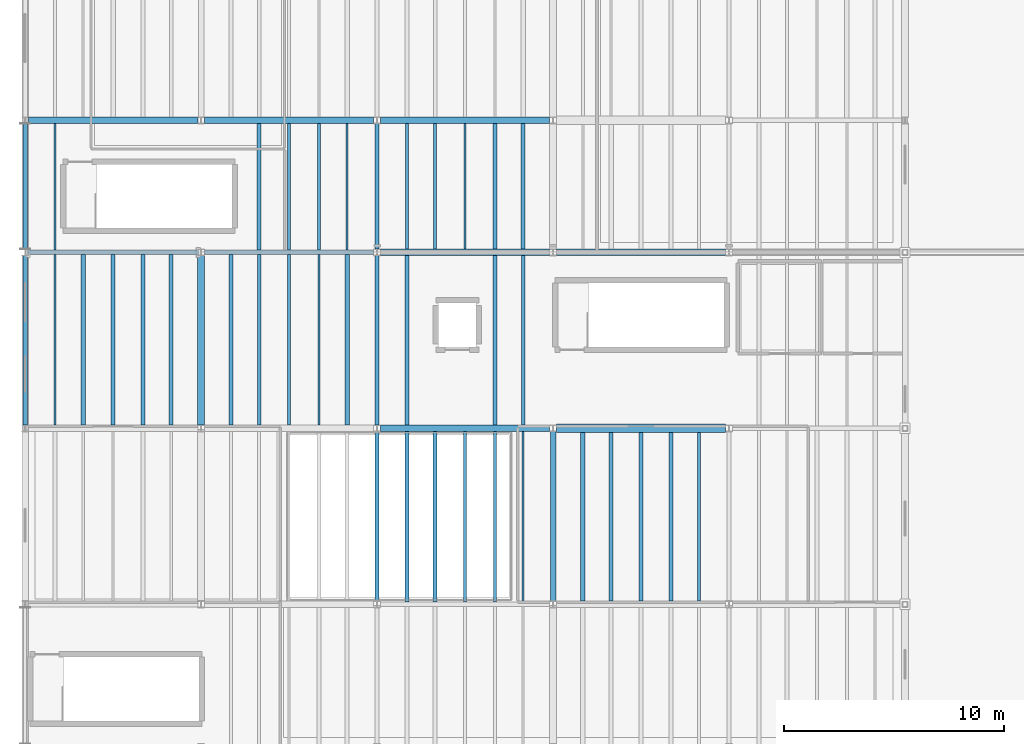
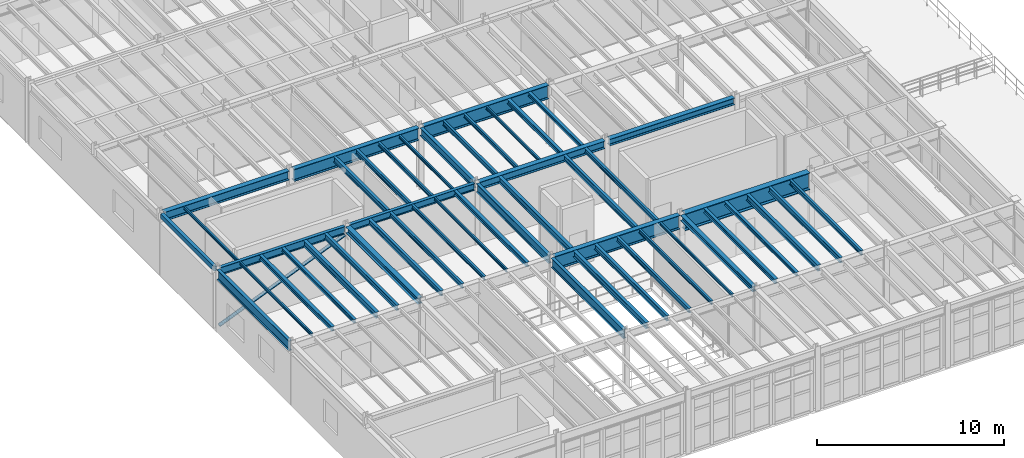
# One storey, part 12 of 78: 49 beams, 1 member.
"""IFC4 building model written with IfcOpenShell, lengths in metres."""

from ifc_helpers import new_model, si_unit, direction, frame, origin, origin_2d, place, context, subcontext, project, spatial, hollow_rectangle, hollow_circle, i_section, extrude, material, material_profile, profile_set, type_object, element, save


model = new_model("IFC4")

# Units and contexts
model_context = context("Model", 3, precision=1e-05, world=origin(), true_north=direction((0.0, 1.0)))
body_context = subcontext(model_context, "Body", "Model", "MODEL_VIEW")
ifc_project = project(units=[si_unit("LENGTHUNIT", "METRE"), si_unit("AREAUNIT", "SQUARE_METRE"), si_unit("VOLUMEUNIT", "CUBIC_METRE"), si_unit("PLANEANGLEUNIT", "RADIAN"), si_unit("MASSUNIT", "GRAM", prefix="KILO"), si_unit("THERMODYNAMICTEMPERATUREUNIT", "KELVIN"), si_unit("POWERUNIT", "WATT")], contexts=[model_context])

# Site, building, storey
site_placement = place(None, origin())
site = spatial("IfcSite", under=ifc_project, at=site_placement, CompositionType="ELEMENT")
building_placement = place(site_placement, origin())
building = spatial("IfcBuilding", under=site, at=building_placement, Name="Zhenchuan Central Fire Station", CompositionType="ELEMENT")
storey_placement = place(building_placement, frame((0.0, 0.0, 5.85009765625)))
storey = spatial("IfcBuildingStorey", under=building, at=storey_placement, Name="L02", CompositionType="ELEMENT", Elevation=5.85009765625)

# Beams
ifc_material = material(Name="Steel Q355B", Category="steel")
ifc_material_profile_1 = material_profile(ifc_material, i_section(OverallWidth=0.25, OverallDepth=0.340087890625, WebThickness=0.009033203125, FlangeThickness=0.013916015625, FilletRadius=0.01806640625, at=origin_2d()), Name="HM 340x250")
ifc_profile_set_1 = profile_set([ifc_material_profile_1], Name="Steel Q355B")
beam_type_1 = type_object("IfcBeamType", Name="BM-HM340", PredefinedType="BEAM", material=ifc_profile_set_1)
beam_1_placement = place(storey_placement, frame((24.0, 6.64990234375, 3.829833984375), z_axis=(0.0, 1.0, 0.0), x_axis=(-1.0, 0.0, 0.0)))
element("IfcBeam", 1, at=beam_1_placement, inside=storey, type_object=beam_type_1, Name="L03 Girder NS 0295", PredefinedType="BEAM", context=body_context, shape_type="SweptSolid", body=[
    extrude(i_section(OverallWidth=0.25, OverallDepth=0.340087890625, WebThickness=0.009033203125, FlangeThickness=0.013916015625, FilletRadius=0.01806640625, at=origin_2d()), origin(), (0.0, 0.0, 1.0), 7.7001953125),
])
ifc_material_profile_2 = material_profile(ifc_material, i_section(OverallWidth=0.300048828125, OverallDepth=0.389892578125, WebThickness=0.010009765625, FlangeThickness=0.01611328125, FilletRadius=0.02001953125, at=origin_2d()), Name="HM 390x300")
ifc_profile_set_2 = profile_set([ifc_material_profile_2], Name="Steel Q355B")
beam_type_2 = type_object("IfcBeamType", Name="BM-HM390-INT", PredefinedType="BEAM", material=ifc_profile_set_2)
beam_2_placement = place(storey_placement, frame((8.0, 14.64990234375, 3.804931640625), z_axis=(0.0, 1.0, 0.0), x_axis=(-1.0, 0.0, 0.0)))
element("IfcBeam", 2, at=beam_2_placement, inside=storey, type_object=beam_type_2, Name="L03 Girder NS 0283", PredefinedType="BEAM", context=body_context, shape_type="SweptSolid", body=[
    extrude(i_section(OverallWidth=0.300048828125, OverallDepth=0.389892578125, WebThickness=0.010009765625, FlangeThickness=0.01611328125, FilletRadius=0.02001953125, at=origin_2d()), origin(), (0.0, 0.0, 1.0), 7.7001953125),
])
ifc_material_profile_3 = material_profile(ifc_material, i_section(OverallWidth=0.300048828125, OverallDepth=0.43994140625, WebThickness=0.010986328125, FlangeThickness=0.01806640625, FilletRadius=0.02197265625, at=origin_2d()), Name="HM 440x300")
ifc_profile_set_3 = profile_set([ifc_material_profile_3], Name="Steel Q355B")
beam_type_3 = type_object("IfcBeamType", Name="BM-HM440-INT", PredefinedType="BEAM", material=ifc_profile_set_3)
beam_3_placement = place(storey_placement, frame((24.14990234375, 22.5, 3.77978515625), z_axis=(1.0, 0.0, 0.0), x_axis=(0.0, 1.0, 0.0)))
element("IfcBeam", 3, at=beam_3_placement, inside=storey, type_object=beam_type_3, Name="L03 Girder EW 0217", PredefinedType="BEAM", context=body_context, shape_type="SweptSolid", body=[
    extrude(i_section(OverallWidth=0.300048828125, OverallDepth=0.43994140625, WebThickness=0.010986328125, FlangeThickness=0.01806640625, FilletRadius=0.02197265625, at=origin_2d()), origin(), (0.0, 0.0, 1.0), 7.7001953125),
])
ifc_material_profile_4 = material_profile(ifc_material, i_section(OverallWidth=0.300048828125, OverallDepth=0.5, WebThickness=0.010986328125, FlangeThickness=0.01806640625, FilletRadius=0.02197265625, at=origin_2d()), Name="HM 500x300")
ifc_profile_set_4 = profile_set([ifc_material_profile_4], Name="Steel Q355B")
beam_type_4 = type_object("IfcBeamType", Name="BM-HM500-INT", PredefinedType="BEAM", material=ifc_profile_set_4)
beam_4_placement = place(storey_placement, frame((16.14990234375, 22.5, 3.75), z_axis=(1.0, 0.0, 0.0), x_axis=(0.0, 1.0, 0.0)))
element("IfcBeam", 4, at=beam_4_placement, inside=storey, type_object=beam_type_4, Name="L03 Girder EW 0216", PredefinedType="BEAM", context=body_context, shape_type="SweptSolid", body=[
    extrude(i_section(OverallWidth=0.300048828125, OverallDepth=0.5, WebThickness=0.010986328125, FlangeThickness=0.01806640625, FilletRadius=0.02197265625, at=origin_2d()), origin(), (0.0, 0.0, 1.0), 7.7001953125),
])
ifc_material_profile_5 = material_profile(ifc_material, i_section(OverallWidth=0.300048828125, OverallDepth=0.587890625, WebThickness=0.011962890625, FlangeThickness=0.02001953125, FilletRadius=0.02392578125, at=origin_2d()), Name="HM 588x300")
ifc_profile_set_5 = profile_set([ifc_material_profile_5], Name="Steel Q355B")
beam_type_5 = type_object("IfcBeamType", Name="BM-HM588", PredefinedType="BEAM", material=ifc_profile_set_5)
beam_5_placement = place(storey_placement, frame((0.14990234375, 28.5, 3.705810546875), z_axis=(1.0, 0.0, 0.0), x_axis=(0.0, 1.0, 0.0)))
element("IfcBeam", 5, at=beam_5_placement, inside=storey, type_object=beam_type_5, Name="L03 Girder EW 0221", PredefinedType="BEAM", context=body_context, shape_type="SweptSolid", body=[
    extrude(i_section(OverallWidth=0.300048828125, OverallDepth=0.587890625, WebThickness=0.011962890625, FlangeThickness=0.02001953125, FilletRadius=0.02392578125, at=origin_2d()), origin(), (0.0, 0.0, 1.0), 7.7001953125),
])
ifc_material_profile_6 = material_profile(ifc_material, i_section(OverallWidth=0.199951171875, OverallDepth=0.449951171875, WebThickness=0.009033203125, FlangeThickness=0.013916015625, FilletRadius=0.01806640625, at=origin_2d()), Name="HN 450x200")
ifc_profile_set_6 = profile_set([ifc_material_profile_6], Name="Steel Q355B")
beam_type_6 = type_object("IfcBeamType", Name="BM-HN450", PredefinedType="BEAM", material=ifc_profile_set_6)
beam_6_placement = place(storey_placement, frame((8.14990234375, 22.5, 3.77490234375), z_axis=(1.0, 0.0, 0.0), x_axis=(0.0, 1.0, 0.0)))
element("IfcBeam", 6, at=beam_6_placement, inside=storey, type_object=beam_type_6, Name="L03 Girder EW 0215", PredefinedType="BEAM", context=body_context, shape_type="SweptSolid", body=[
    extrude(i_section(OverallWidth=0.199951171875, OverallDepth=0.449951171875, WebThickness=0.009033203125, FlangeThickness=0.013916015625, FilletRadius=0.01806640625, at=origin_2d()), origin(), (0.0, 0.0, 1.0), 7.7001953125),
])
ifc_material_profile_7 = material_profile(ifc_material, i_section(OverallWidth=0.199951171875, OverallDepth=0.5, WebThickness=0.010009765625, FlangeThickness=0.01611328125, FilletRadius=0.02001953125, at=origin_2d()), Name="HN 500x200")
ifc_profile_set_7 = profile_set([ifc_material_profile_7], Name="Steel Q355B")
beam_type_7 = type_object("IfcBeamType", Name="BM-HN500-INT", PredefinedType="BEAM", material=ifc_profile_set_7)
beam_7_placement = place(storey_placement, frame((0.14990234375, 22.5, 3.75), z_axis=(1.0, 0.0, 0.0), x_axis=(0.0, 1.0, 0.0)))
element("IfcBeam", 7, at=beam_7_placement, inside=storey, type_object=beam_type_7, Name="L03 Girder EW 0214", PredefinedType="BEAM", context=body_context, shape_type="SweptSolid", body=[
    extrude(i_section(OverallWidth=0.199951171875, OverallDepth=0.5, WebThickness=0.010009765625, FlangeThickness=0.01611328125, FilletRadius=0.02001953125, at=origin_2d()), origin(), (0.0, 0.0, 1.0), 7.7001953125),
])
beam_8_placement = place(storey_placement, frame((16.0, 22.64990234375, 3.75), z_axis=(0.0, 1.0, 0.0), x_axis=(-1.0, 0.0, 0.0)))
element("IfcBeam", 8, at=beam_8_placement, inside=storey, type_object=beam_type_7, Name="L03 Girder NS 0290", PredefinedType="BEAM", context=body_context, shape_type="SweptSolid", body=[
    extrude(i_section(OverallWidth=0.199951171875, OverallDepth=0.5, WebThickness=0.010009765625, FlangeThickness=0.01611328125, FilletRadius=0.02001953125, at=origin_2d()), origin(), (0.0, 0.0, 1.0), 5.7001953125),
])
ifc_material_profile_8 = material_profile(ifc_material, i_section(OverallWidth=0.199951171875, OverallDepth=0.550048828125, WebThickness=0.010009765625, FlangeThickness=0.01611328125, FilletRadius=0.02001953125, at=origin_2d()), Name="HN 550x200")
ifc_profile_set_8 = profile_set([ifc_material_profile_8], Name="Steel Q355B")
beam_type_8 = type_object("IfcBeamType", Name="BM-HN550-INT", PredefinedType="BEAM", material=ifc_profile_set_8)
beam_9_placement = place(storey_placement, frame((16.0, 14.64990234375, 3.724853515625), z_axis=(0.0, 1.0, 0.0), x_axis=(-1.0, 0.0, 0.0)))
element("IfcBeam", 9, at=beam_9_placement, inside=storey, type_object=beam_type_8, Name="L03 Girder NS 0289", PredefinedType="BEAM", context=body_context, shape_type="SweptSolid", body=[
    extrude(i_section(OverallWidth=0.199951171875, OverallDepth=0.550048828125, WebThickness=0.010009765625, FlangeThickness=0.01611328125, FilletRadius=0.02001953125, at=origin_2d()), origin(), (0.0, 0.0, 1.0), 7.7001953125),
])
ifc_material_profile_9 = material_profile(ifc_material, i_section(OverallWidth=0.199951171875, OverallDepth=0.60009765625, WebThickness=0.010986328125, FlangeThickness=0.01708984375, FilletRadius=0.02197265625, at=origin_2d()), Name="HN 600x200")
ifc_profile_set_9 = profile_set([ifc_material_profile_9], Name="Steel Q355B")
beam_type_9 = type_object("IfcBeamType", Name="BM-HN600-INT", PredefinedType="BEAM", material=ifc_profile_set_9)
beam_10_placement = place(storey_placement, frame((16.0, 6.64990234375, 3.699951171875), z_axis=(0.0, 1.0, 0.0), x_axis=(-1.0, 0.0, 0.0)))
element("IfcBeam", 10, at=beam_10_placement, inside=storey, type_object=beam_type_9, Name="L03 Girder NS 0288", PredefinedType="BEAM", context=body_context, shape_type="SweptSolid", body=[
    extrude(i_section(OverallWidth=0.199951171875, OverallDepth=0.60009765625, WebThickness=0.010986328125, FlangeThickness=0.01708984375, FilletRadius=0.02197265625, at=origin_2d()), origin(), (0.0, 0.0, 1.0), 7.7001953125),
])
ifc_material_profile_10 = material_profile(ifc_material, i_section(OverallWidth=0.199951171875, OverallDepth=0.64990234375, WebThickness=0.011962890625, FlangeThickness=0.02001953125, FilletRadius=0.02197265625, at=origin_2d()), Name="HN 650x200")
ifc_profile_set_10 = profile_set([ifc_material_profile_10], Name="Steel Q355B")
beam_type_10 = type_object("IfcBeamType", Name="BM-HN650-EXT", PredefinedType="BEAM", material=ifc_profile_set_10)
beam_11_placement = place(storey_placement, frame((0.0, 14.64990234375, 3.6748046875), z_axis=(0.0, 1.0, 0.0), x_axis=(-1.0, 0.0, 0.0)))
element("IfcBeam", 11, at=beam_11_placement, inside=storey, type_object=beam_type_10, Name="L03 Girder NS 0276", PredefinedType="BEAM", context=body_context, shape_type="SweptSolid", body=[
    extrude(i_section(OverallWidth=0.199951171875, OverallDepth=0.64990234375, WebThickness=0.011962890625, FlangeThickness=0.02001953125, FilletRadius=0.02197265625, at=origin_2d()), origin(), (0.0, 0.0, 1.0), 7.7001953125),
])
ifc_material_profile_11 = material_profile(ifc_material, i_section(OverallWidth=0.300048828125, OverallDepth=0.800048828125, WebThickness=0.013916015625, FlangeThickness=0.02587890625, FilletRadius=0.02587890625, at=origin_2d()), Name="HN 800x300")
ifc_profile_set_11 = profile_set([ifc_material_profile_11], Name="Steel Q355B")
beam_type_11 = type_object("IfcBeamType", Name="BM-HN800", PredefinedType="BEAM", material=ifc_profile_set_11)
beam_12_placement = place(storey_placement, frame((8.14990234375, 28.5, 3.599853515625), z_axis=(1.0, 0.0, 0.0), x_axis=(0.0, 1.0, 0.0)))
element("IfcBeam", 12, at=beam_12_placement, inside=storey, type_object=beam_type_11, Name="L03 Girder EW 0222", PredefinedType="BEAM", context=body_context, shape_type="SweptSolid", body=[
    extrude(i_section(OverallWidth=0.300048828125, OverallDepth=0.800048828125, WebThickness=0.013916015625, FlangeThickness=0.02587890625, FilletRadius=0.02587890625, at=origin_2d()), origin(), (0.0, 0.0, 1.0), 7.7001953125),
])
ifc_material_profile_12 = material_profile(ifc_material, i_section(OverallWidth=0.300048828125, OverallDepth=0.89990234375, WebThickness=0.01611328125, FlangeThickness=0.028076171875, FilletRadius=0.02587890625, at=origin_2d()), Name="HN 900x300")
ifc_profile_set_12 = profile_set([ifc_material_profile_12], Name="Steel Q355B")
beam_type_12 = type_object("IfcBeamType", Name="BM-HN900", PredefinedType="BEAM", material=ifc_profile_set_12)
for number, where, z_axis, x_axis, name in (
    (13, (16.14990234375, 14.5, 3.5498046875), (1.0, 0.0, 0.0), (0.0, 1.0, 0.0), "L03 Girder EW 0209"),
    (14, (16.14990234375, 28.5, 3.5498046875), (1.0, 0.0, 0.0), (0.0, 1.0, 0.0), "L03 Girder EW 0223"),
):
    element("IfcBeam", number, at=place(storey_placement, frame(where, z_axis=z_axis, x_axis=x_axis)), inside=storey, type_object=beam_type_12, Name=name, PredefinedType="BEAM", context=body_context, shape_type="SweptSolid", body=[
        extrude(i_section(OverallWidth=0.300048828125, OverallDepth=0.89990234375, WebThickness=0.01611328125, FlangeThickness=0.028076171875, FilletRadius=0.02587890625, at=origin_2d()), origin(), (0.0, 0.0, 1.0), 7.7001953125),
    ])
ifc_material_profile_13 = material_profile(ifc_material, i_section(OverallWidth=0.3798828125, OverallDepth=1.10009765625, WebThickness=0.02001953125, FlangeThickness=0.035888671875, FilletRadius=0.02392578125, at=origin_2d()), Name="PG 1100x380")
ifc_profile_set_13 = profile_set([ifc_material_profile_13], Name="Steel Q355B")
beam_type_13 = type_object("IfcBeamType", Name="BM-PG1100", PredefinedType="BEAM", material=ifc_profile_set_13)
beam_13_placement = place(storey_placement, frame((24.14990234375, 14.5, 3.449951171875), z_axis=(1.0, 0.0, 0.0), x_axis=(0.0, 1.0, 0.0)))
element("IfcBeam", 15, at=beam_13_placement, inside=storey, type_object=beam_type_13, Name="L03 Girder EW 0210", PredefinedType="BEAM", context=body_context, shape_type="SweptSolid", body=[
    extrude(i_section(OverallWidth=0.3798828125, OverallDepth=1.10009765625, WebThickness=0.02001953125, FlangeThickness=0.035888671875, FilletRadius=0.02392578125, at=origin_2d()), origin(), (0.0, 0.0, 1.0), 7.7001953125),
])
ifc_material_profile_14 = material_profile(ifc_material, i_section(OverallWidth=0.175048828125, OverallDepth=0.243896484375, WebThickness=0.007080078125, FlangeThickness=0.010986328125, FilletRadius=0.012939453125, at=origin_2d()), Name="HM 244x175")
ifc_profile_set_14 = profile_set([ifc_material_profile_14], Name="Steel Q355B")
beam_type_14 = type_object("IfcBeamType", Name="JS-HM244", PredefinedType="JOIST", material=ifc_profile_set_14)
beam_14_placement = place(storey_placement, frame((26.639892578125, 6.64697265625, 3.8779296875), z_axis=(0.0, 1.0, 0.0), x_axis=(-1.0, 0.0, 0.0)))
element("IfcBeam", 16, at=beam_14_placement, inside=storey, type_object=beam_type_14, Name="L03 Secondary Joist 0343", PredefinedType="JOIST", context=body_context, shape_type="SweptSolid", body=[
    extrude(i_section(OverallWidth=0.175048828125, OverallDepth=0.243896484375, WebThickness=0.007080078125, FlangeThickness=0.010986328125, FilletRadius=0.012939453125, at=origin_2d()), origin(), (0.0, 0.0, 1.0), 7.666015625),
])
beam_15_placement = place(storey_placement, frame((4.0, 14.64697265625, 3.8779296875), z_axis=(0.0, 1.0, 0.0), x_axis=(-1.0, 0.0, 0.0)))
element("IfcBeam", 17, at=beam_15_placement, inside=storey, type_object=beam_type_14, Name="L03 Secondary Joist 0364", PredefinedType="JOIST", context=body_context, shape_type="SweptSolid", body=[
    extrude(i_section(OverallWidth=0.175048828125, OverallDepth=0.243896484375, WebThickness=0.007080078125, FlangeThickness=0.010986328125, FilletRadius=0.012939453125, at=origin_2d()), origin(), (0.0, 0.0, 1.0), 7.756103515625),
])
beam_16_placement = place(storey_placement, frame((22.639892578125, 22.64697265625, 3.8779296875), z_axis=(0.0, 1.0, 0.0), x_axis=(-1.0, 0.0, 0.0)))
element("IfcBeam", 18, at=beam_16_placement, inside=storey, type_object=beam_type_14, Name="L03 Secondary Joist 0399", PredefinedType="JOIST", context=body_context, shape_type="SweptSolid", body=[
    extrude(i_section(OverallWidth=0.175048828125, OverallDepth=0.243896484375, WebThickness=0.007080078125, FlangeThickness=0.010986328125, FilletRadius=0.012939453125, at=origin_2d()), origin(), (0.0, 0.0, 1.0), 5.7060546875),
])
ifc_material_profile_15 = material_profile(ifc_material, i_section(OverallWidth=0.199951171875, OverallDepth=0.2939453125, WebThickness=0.008056640625, FlangeThickness=0.011962890625, FilletRadius=0.01611328125, at=origin_2d()), Name="HM 294x200")
ifc_profile_set_15 = profile_set([ifc_material_profile_15], Name="Steel Q355B")
beam_type_15 = type_object("IfcBeamType", Name="JS-HM294", PredefinedType="JOIST", material=ifc_profile_set_15)
beam_17_placement = place(storey_placement, frame((25.360107421875, 6.64697265625, 3.852783203125), z_axis=(0.0, 1.0, 0.0), x_axis=(-1.0, 0.0, 0.0)))
element("IfcBeam", 19, at=beam_17_placement, inside=storey, type_object=beam_type_15, Name="L03 Secondary Joist 0342", PredefinedType="JOIST", context=body_context, shape_type="SweptSolid", body=[
    extrude(i_section(OverallWidth=0.199951171875, OverallDepth=0.2939453125, WebThickness=0.008056640625, FlangeThickness=0.011962890625, FilletRadius=0.01611328125, at=origin_2d()), origin(), (0.0, 0.0, 1.0), 7.666015625),
])
for number, where, z_axis, x_axis, name in (
    (20, (2.639892578125, 14.64697265625, 3.852783203125), (0.0, 1.0, 0.0), (-1.0, 0.0, 0.0), "L03 Secondary Joist 0363"),
    (21, (14.639892578125, 14.64697265625, 3.852783203125), (0.0, 1.0, 0.0), (-1.0, 0.0, 0.0), "L03 Secondary Joist 0371"),
):
    element("IfcBeam", number, at=place(storey_placement, frame(where, z_axis=z_axis, x_axis=x_axis)), inside=storey, type_object=beam_type_15, Name=name, PredefinedType="JOIST", context=body_context, shape_type="SweptSolid", body=[
        extrude(i_section(OverallWidth=0.199951171875, OverallDepth=0.2939453125, WebThickness=0.008056640625, FlangeThickness=0.011962890625, FilletRadius=0.01611328125, at=origin_2d()), origin(), (0.0, 0.0, 1.0), 7.756103515625),
    ])
beam_18_placement = place(storey_placement, frame((21.360107421875, 22.64697265625, 3.852783203125), z_axis=(0.0, 1.0, 0.0), x_axis=(-1.0, 0.0, 0.0)))
element("IfcBeam", 22, at=beam_18_placement, inside=storey, type_object=beam_type_15, Name="L03 Secondary Joist 0398", PredefinedType="JOIST", context=body_context, shape_type="SweptSolid", body=[
    extrude(i_section(OverallWidth=0.199951171875, OverallDepth=0.2939453125, WebThickness=0.008056640625, FlangeThickness=0.011962890625, FilletRadius=0.01611328125, at=origin_2d()), origin(), (0.0, 0.0, 1.0), 5.7060546875),
])
ifc_material_profile_16 = material_profile(ifc_material, i_section(OverallWidth=0.10009765625, OverallDepth=0.199951171875, WebThickness=0.005615234375, FlangeThickness=0.008056640625, FilletRadius=0.010986328125, at=origin_2d()), Name="HN 200x100")
ifc_profile_set_16 = profile_set([ifc_material_profile_16], Name="Steel Q355B")
beam_type_16 = type_object("IfcBeamType", Name="JS-HN200", PredefinedType="JOIST", material=ifc_profile_set_16)
for number, where, z_axis, x_axis, name in (
    (23, (22.639892578125, 6.596923828125, 3.89990234375), (0.0, 1.0, 0.0), (-1.0, 0.0, 0.0), "L03 Secondary Joist 0341"),
    (24, (1.360107421875, 14.64697265625, 3.89990234375), (0.0, 1.0, 0.0), (-1.0, 0.0, 0.0), "L03 Secondary Joist 0362"),
    (25, (13.360107421875, 14.64697265625, 3.89990234375), (0.0, 1.0, 0.0), (-1.0, 0.0, 0.0), "L03 Secondary Joist 0370"),
):
    element("IfcBeam", number, at=place(storey_placement, frame(where, z_axis=z_axis, x_axis=x_axis)), inside=storey, type_object=beam_type_16, Name=name, PredefinedType="JOIST", context=body_context, shape_type="SweptSolid", body=[
        extrude(i_section(OverallWidth=0.10009765625, OverallDepth=0.199951171875, WebThickness=0.005615234375, FlangeThickness=0.008056640625, FilletRadius=0.010986328125, at=origin_2d()), origin(), (0.0, 0.0, 1.0), 7.756103515625),
    ])
for number, where, z_axis, x_axis, name in (
    (26, (1.360107421875, 22.596923828125, 3.89990234375), (0.0, 1.0, 0.0), (-1.0, 0.0, 0.0), "L03 Secondary Joist 0390"),
    (27, (14.639892578125, 22.596923828125, 3.89990234375), (0.0, 1.0, 0.0), (-1.0, 0.0, 0.0), "L03 Secondary Joist 0394"),
):
    element("IfcBeam", number, at=place(storey_placement, frame(where, z_axis=z_axis, x_axis=x_axis)), inside=storey, type_object=beam_type_16, Name=name, PredefinedType="JOIST", context=body_context, shape_type="SweptSolid", body=[
        extrude(i_section(OverallWidth=0.10009765625, OverallDepth=0.199951171875, WebThickness=0.005615234375, FlangeThickness=0.008056640625, FilletRadius=0.010986328125, at=origin_2d()), origin(), (0.0, 0.0, 1.0), 5.756103515625),
    ])
beam_19_placement = place(storey_placement, frame((20.0, 22.64697265625, 3.89990234375), z_axis=(0.0, 1.0, 0.0), x_axis=(-1.0, 0.0, 0.0)))
element("IfcBeam", 28, at=beam_19_placement, inside=storey, type_object=beam_type_16, Name="L03 Secondary Joist 0397", PredefinedType="JOIST", context=body_context, shape_type="SweptSolid", body=[
    extrude(i_section(OverallWidth=0.10009765625, OverallDepth=0.199951171875, WebThickness=0.005615234375, FlangeThickness=0.008056640625, FilletRadius=0.010986328125, at=origin_2d()), origin(), (0.0, 0.0, 1.0), 5.7060546875),
])
ifc_material_profile_17 = material_profile(ifc_material, i_section(OverallWidth=0.125, OverallDepth=0.25, WebThickness=0.006103515625, FlangeThickness=0.009033203125, FilletRadius=0.011962890625, at=origin_2d()), Name="HN 250x125")
ifc_profile_set_17 = profile_set([ifc_material_profile_17], Name="Steel Q355B")
beam_type_17 = type_object("IfcBeamType", Name="JS-HN250", PredefinedType="JOIST", material=ifc_profile_set_17)
for number, where, z_axis, x_axis, name in (
    (29, (21.360107421875, 6.596923828125, 3.875), (0.0, 1.0, 0.0), (-1.0, 0.0, 0.0), "L03 Secondary Joist 0340"),
    (30, (12.0, 14.64697265625, 3.875), (0.0, 1.0, 0.0), (-1.0, 0.0, 0.0), "L03 Secondary Joist 0369"),
):
    element("IfcBeam", number, at=place(storey_placement, frame(where, z_axis=z_axis, x_axis=x_axis)), inside=storey, type_object=beam_type_17, Name=name, PredefinedType="JOIST", context=body_context, shape_type="SweptSolid", body=[
        extrude(i_section(OverallWidth=0.125, OverallDepth=0.25, WebThickness=0.006103515625, FlangeThickness=0.009033203125, FilletRadius=0.011962890625, at=origin_2d()), origin(), (0.0, 0.0, 1.0), 7.756103515625),
    ])
beam_20_placement = place(storey_placement, frame((13.360107421875, 22.596923828125, 3.875), z_axis=(0.0, 1.0, 0.0), x_axis=(-1.0, 0.0, 0.0)))
element("IfcBeam", 31, at=beam_20_placement, inside=storey, type_object=beam_type_17, Name="L03 Secondary Joist 0393", PredefinedType="JOIST", context=body_context, shape_type="SweptSolid", body=[
    extrude(i_section(OverallWidth=0.125, OverallDepth=0.25, WebThickness=0.006103515625, FlangeThickness=0.009033203125, FilletRadius=0.011962890625, at=origin_2d()), origin(), (0.0, 0.0, 1.0), 5.756103515625),
])
beam_21_placement = place(storey_placement, frame((18.639892578125, 22.64697265625, 3.875), z_axis=(0.0, 1.0, 0.0), x_axis=(-1.0, 0.0, 0.0)))
element("IfcBeam", 32, at=beam_21_placement, inside=storey, type_object=beam_type_17, Name="L03 Secondary Joist 0396", PredefinedType="JOIST", context=body_context, shape_type="SweptSolid", body=[
    extrude(i_section(OverallWidth=0.125, OverallDepth=0.25, WebThickness=0.006103515625, FlangeThickness=0.009033203125, FilletRadius=0.011962890625, at=origin_2d()), origin(), (0.0, 0.0, 1.0), 5.7060546875),
])
ifc_material_profile_18 = material_profile(ifc_material, i_section(OverallWidth=0.14990234375, OverallDepth=0.300048828125, WebThickness=0.006591796875, FlangeThickness=0.009033203125, FilletRadius=0.012939453125, at=origin_2d()), Name="HN 300x150")
ifc_profile_set_18 = profile_set([ifc_material_profile_18], Name="Steel Q355B")
beam_type_18 = type_object("IfcBeamType", Name="JS-HN300", PredefinedType="JOIST", material=ifc_profile_set_18)
beam_22_placement = place(storey_placement, frame((20.0, 6.596923828125, 3.849853515625), z_axis=(0.0, 1.0, 0.0), x_axis=(-1.0, 0.0, 0.0)))
element("IfcBeam", 33, at=beam_22_placement, inside=storey, type_object=beam_type_18, Name="L03 Secondary Joist 0339", PredefinedType="JOIST", context=body_context, shape_type="SweptSolid", body=[
    extrude(i_section(OverallWidth=0.14990234375, OverallDepth=0.300048828125, WebThickness=0.006591796875, FlangeThickness=0.009033203125, FilletRadius=0.012939453125, at=origin_2d()), origin(), (0.0, 0.0, 1.0), 7.756103515625),
])
beam_23_placement = place(storey_placement, frame((30.639892578125, 6.64697265625, 3.849853515625), z_axis=(0.0, 1.0, 0.0), x_axis=(-1.0, 0.0, 0.0)))
element("IfcBeam", 34, at=beam_23_placement, inside=storey, type_object=beam_type_18, Name="L03 Secondary Joist 0346", PredefinedType="JOIST", context=body_context, shape_type="SweptSolid", body=[
    extrude(i_section(OverallWidth=0.14990234375, OverallDepth=0.300048828125, WebThickness=0.006591796875, FlangeThickness=0.009033203125, FilletRadius=0.012939453125, at=origin_2d()), origin(), (0.0, 0.0, 1.0), 7.666015625),
])
beam_24_placement = place(storey_placement, frame((10.639892578125, 14.64697265625, 3.849853515625), z_axis=(0.0, 1.0, 0.0), x_axis=(-1.0, 0.0, 0.0)))
element("IfcBeam", 35, at=beam_24_placement, inside=storey, type_object=beam_type_18, Name="L03 Secondary Joist 0368", PredefinedType="JOIST", context=body_context, shape_type="SweptSolid", body=[
    extrude(i_section(OverallWidth=0.14990234375, OverallDepth=0.300048828125, WebThickness=0.006591796875, FlangeThickness=0.009033203125, FilletRadius=0.012939453125, at=origin_2d()), origin(), (0.0, 0.0, 1.0), 7.756103515625),
])
beam_25_placement = place(storey_placement, frame((22.639892578125, 14.64697265625, 3.849853515625), z_axis=(0.0, 1.0, 0.0), x_axis=(-1.0, 0.0, 0.0)))
element("IfcBeam", 36, at=beam_25_placement, inside=storey, type_object=beam_type_18, Name="L03 Secondary Joist 0374", PredefinedType="JOIST", context=body_context, shape_type="SweptSolid", body=[
    extrude(i_section(OverallWidth=0.14990234375, OverallDepth=0.300048828125, WebThickness=0.006591796875, FlangeThickness=0.009033203125, FilletRadius=0.012939453125, at=origin_2d()), origin(), (0.0, 0.0, 1.0), 7.7060546875),
])
beam_26_placement = place(storey_placement, frame((12.0, 22.596923828125, 3.849853515625), z_axis=(0.0, 1.0, 0.0), x_axis=(-1.0, 0.0, 0.0)))
element("IfcBeam", 37, at=beam_26_placement, inside=storey, type_object=beam_type_18, Name="L03 Secondary Joist 0392", PredefinedType="JOIST", context=body_context, shape_type="SweptSolid", body=[
    extrude(i_section(OverallWidth=0.14990234375, OverallDepth=0.300048828125, WebThickness=0.006591796875, FlangeThickness=0.009033203125, FilletRadius=0.012939453125, at=origin_2d()), origin(), (0.0, 0.0, 1.0), 5.756103515625),
])
beam_27_placement = place(storey_placement, frame((17.360107421875, 22.64697265625, 3.849853515625), z_axis=(0.0, 1.0, 0.0), x_axis=(-1.0, 0.0, 0.0)))
element("IfcBeam", 38, at=beam_27_placement, inside=storey, type_object=beam_type_18, Name="L03 Secondary Joist 0395", PredefinedType="JOIST", context=body_context, shape_type="SweptSolid", body=[
    extrude(i_section(OverallWidth=0.14990234375, OverallDepth=0.300048828125, WebThickness=0.006591796875, FlangeThickness=0.009033203125, FilletRadius=0.012939453125, at=origin_2d()), origin(), (0.0, 0.0, 1.0), 5.7060546875),
])
ifc_material_profile_19 = material_profile(ifc_material, i_section(OverallWidth=0.175048828125, OverallDepth=0.35009765625, WebThickness=0.007080078125, FlangeThickness=0.010986328125, FilletRadius=0.013916015625, at=origin_2d()), Name="HN 350x175")
ifc_profile_set_19 = profile_set([ifc_material_profile_19], Name="Steel Q355B")
beam_type_19 = type_object("IfcBeamType", Name="JS-HN350", PredefinedType="JOIST", material=ifc_profile_set_19)
beam_28_placement = place(storey_placement, frame((18.639892578125, 6.596923828125, 3.824951171875), z_axis=(0.0, 1.0, 0.0), x_axis=(-1.0, 0.0, 0.0)))
element("IfcBeam", 39, at=beam_28_placement, inside=storey, type_object=beam_type_19, Name="L03 Secondary Joist 0338", PredefinedType="JOIST", context=body_context, shape_type="SweptSolid", body=[
    extrude(i_section(OverallWidth=0.175048828125, OverallDepth=0.35009765625, WebThickness=0.007080078125, FlangeThickness=0.010986328125, FilletRadius=0.013916015625, at=origin_2d()), origin(), (0.0, 0.0, 1.0), 7.756103515625),
])
beam_29_placement = place(storey_placement, frame((29.360107421875, 6.64697265625, 3.824951171875), z_axis=(0.0, 1.0, 0.0), x_axis=(-1.0, 0.0, 0.0)))
element("IfcBeam", 40, at=beam_29_placement, inside=storey, type_object=beam_type_19, Name="L03 Secondary Joist 0345", PredefinedType="JOIST", context=body_context, shape_type="SweptSolid", body=[
    extrude(i_section(OverallWidth=0.175048828125, OverallDepth=0.35009765625, WebThickness=0.007080078125, FlangeThickness=0.010986328125, FilletRadius=0.013916015625, at=origin_2d()), origin(), (0.0, 0.0, 1.0), 7.666015625),
])
for number, where, z_axis, x_axis, name in (
    (41, (6.639892578125, 14.64697265625, 3.824951171875), (0.0, 1.0, 0.0), (-1.0, 0.0, 0.0), "L03 Secondary Joist 0366"),
    (42, (9.360107421875, 14.64697265625, 3.824951171875), (0.0, 1.0, 0.0), (-1.0, 0.0, 0.0), "L03 Secondary Joist 0367"),
):
    element("IfcBeam", number, at=place(storey_placement, frame(where, z_axis=z_axis, x_axis=x_axis)), inside=storey, type_object=beam_type_19, Name=name, PredefinedType="JOIST", context=body_context, shape_type="SweptSolid", body=[
        extrude(i_section(OverallWidth=0.175048828125, OverallDepth=0.35009765625, WebThickness=0.007080078125, FlangeThickness=0.010986328125, FilletRadius=0.013916015625, at=origin_2d()), origin(), (0.0, 0.0, 1.0), 7.756103515625),
    ])
beam_30_placement = place(storey_placement, frame((21.360107421875, 14.64697265625, 3.824951171875), z_axis=(0.0, 1.0, 0.0), x_axis=(-1.0, 0.0, 0.0)))
element("IfcBeam", 43, at=beam_30_placement, inside=storey, type_object=beam_type_19, Name="L03 Secondary Joist 0373", PredefinedType="JOIST", context=body_context, shape_type="SweptSolid", body=[
    extrude(i_section(OverallWidth=0.175048828125, OverallDepth=0.35009765625, WebThickness=0.007080078125, FlangeThickness=0.010986328125, FilletRadius=0.013916015625, at=origin_2d()), origin(), (0.0, 0.0, 1.0), 7.7060546875),
])
beam_31_placement = place(storey_placement, frame((10.639892578125, 22.596923828125, 3.824951171875), z_axis=(0.0, 1.0, 0.0), x_axis=(-1.0, 0.0, 0.0)))
element("IfcBeam", 44, at=beam_31_placement, inside=storey, type_object=beam_type_19, Name="L03 Secondary Joist 0391", PredefinedType="JOIST", context=body_context, shape_type="SweptSolid", body=[
    extrude(i_section(OverallWidth=0.175048828125, OverallDepth=0.35009765625, WebThickness=0.007080078125, FlangeThickness=0.010986328125, FilletRadius=0.013916015625, at=origin_2d()), origin(), (0.0, 0.0, 1.0), 5.756103515625),
])
ifc_material_profile_20 = material_profile(ifc_material, i_section(OverallWidth=0.199951171875, OverallDepth=0.39990234375, WebThickness=0.008056640625, FlangeThickness=0.012939453125, FilletRadius=0.01611328125, at=origin_2d()), Name="HN 400x200")
ifc_profile_set_20 = profile_set([ifc_material_profile_20], Name="Steel Q355B")
beam_type_20 = type_object("IfcBeamType", Name="JS-HN400", PredefinedType="JOIST", material=ifc_profile_set_20)
beam_32_placement = place(storey_placement, frame((17.360107421875, 6.596923828125, 3.7998046875), z_axis=(0.0, 1.0, 0.0), x_axis=(-1.0, 0.0, 0.0)))
element("IfcBeam", 45, at=beam_32_placement, inside=storey, type_object=beam_type_20, Name="L03 Secondary Joist 0337", PredefinedType="JOIST", context=body_context, shape_type="SweptSolid", body=[
    extrude(i_section(OverallWidth=0.199951171875, OverallDepth=0.39990234375, WebThickness=0.008056640625, FlangeThickness=0.012939453125, FilletRadius=0.01611328125, at=origin_2d()), origin(), (0.0, 0.0, 1.0), 7.756103515625),
])
beam_33_placement = place(storey_placement, frame((28.0, 6.64697265625, 3.7998046875), z_axis=(0.0, 1.0, 0.0), x_axis=(-1.0, 0.0, 0.0)))
element("IfcBeam", 46, at=beam_33_placement, inside=storey, type_object=beam_type_20, Name="L03 Secondary Joist 0344", PredefinedType="JOIST", context=body_context, shape_type="SweptSolid", body=[
    extrude(i_section(OverallWidth=0.199951171875, OverallDepth=0.39990234375, WebThickness=0.008056640625, FlangeThickness=0.012939453125, FilletRadius=0.01611328125, at=origin_2d()), origin(), (0.0, 0.0, 1.0), 7.666015625),
])
beam_34_placement = place(storey_placement, frame((5.360107421875, 14.64697265625, 3.7998046875), z_axis=(0.0, 1.0, 0.0), x_axis=(-1.0, 0.0, 0.0)))
element("IfcBeam", 47, at=beam_34_placement, inside=storey, type_object=beam_type_20, Name="L03 Secondary Joist 0365", PredefinedType="JOIST", context=body_context, shape_type="SweptSolid", body=[
    extrude(i_section(OverallWidth=0.199951171875, OverallDepth=0.39990234375, WebThickness=0.008056640625, FlangeThickness=0.012939453125, FilletRadius=0.01611328125, at=origin_2d()), origin(), (0.0, 0.0, 1.0), 7.756103515625),
])
beam_35_placement = place(storey_placement, frame((17.360107421875, 14.64697265625, 3.7998046875), z_axis=(0.0, 1.0, 0.0), x_axis=(-1.0, 0.0, 0.0)))
element("IfcBeam", 48, at=beam_35_placement, inside=storey, type_object=beam_type_20, Name="L03 Secondary Joist 0372", PredefinedType="JOIST", context=body_context, shape_type="SweptSolid", body=[
    extrude(i_section(OverallWidth=0.199951171875, OverallDepth=0.39990234375, WebThickness=0.008056640625, FlangeThickness=0.012939453125, FilletRadius=0.01611328125, at=origin_2d()), origin(), (0.0, 0.0, 1.0), 7.7060546875),
])

# Member
ifc_material_profile_21 = material_profile(ifc_material, hollow_circle(Radius=0.109619140625, WallThickness=0.010009765625, at=origin_2d()), Name="CHS 219.1x10")
ifc_profile_set_21 = profile_set([ifc_material_profile_21], Name="Steel Q355B")
member_type = type_object("IfcMemberType", Name="MB-BR-CHS219", PredefinedType="BRACE", material=ifc_profile_set_21)
member_placement = place(storey_placement, frame((0.1279296875, 22.5, 0.199951171875), z_axis=(0.924207331921, 0.0, 0.381891093931), x_axis=(0.0, 1.0, 0.0)))
element("IfcMember", 49, at=member_placement, inside=storey, type_object=member_type, Name="Interior Frame Lateral Brace 04", PredefinedType="BRACE", context=body_context, shape_type="SweptSolid", body=[
    extrude(hollow_circle(Radius=0.109619140625, WallThickness=0.010009765625, at=origin_2d()), origin(), (0.0, 0.0, 1.0), 8.379150390625),
])

# Beam
ifc_material_profile_22 = material_profile(ifc_material, hollow_rectangle(XDim=0.199951171875, YDim=0.300048828125, WallThickness=0.011962890625, at=origin_2d()), Name="RHS 300x200x12")
ifc_profile_set_22 = profile_set([ifc_material_profile_22], Name="Steel Q355B")
beam_type_21 = type_object("IfcBeamType", Name="SP-RHS300", PredefinedType="SPANDREL", material=ifc_profile_set_22)
beam_36_placement = place(storey_placement, frame((0.0, 22.64990234375, 3.849853515625), z_axis=(0.0, 1.0, 0.0), x_axis=(-1.0, 0.0, 0.0)))
element("IfcBeam", 50, at=beam_36_placement, inside=storey, type_object=beam_type_21, Name="L03 Girder NS 0277", PredefinedType="SPANDREL", context=body_context, shape_type="SweptSolid", body=[
    extrude(hollow_rectangle(XDim=0.199951171875, YDim=0.300048828125, WallThickness=0.011962890625, at=origin_2d()), origin(), (0.0, 0.0, 1.0), 5.7001953125),
])

save(model, "model.ifc")
